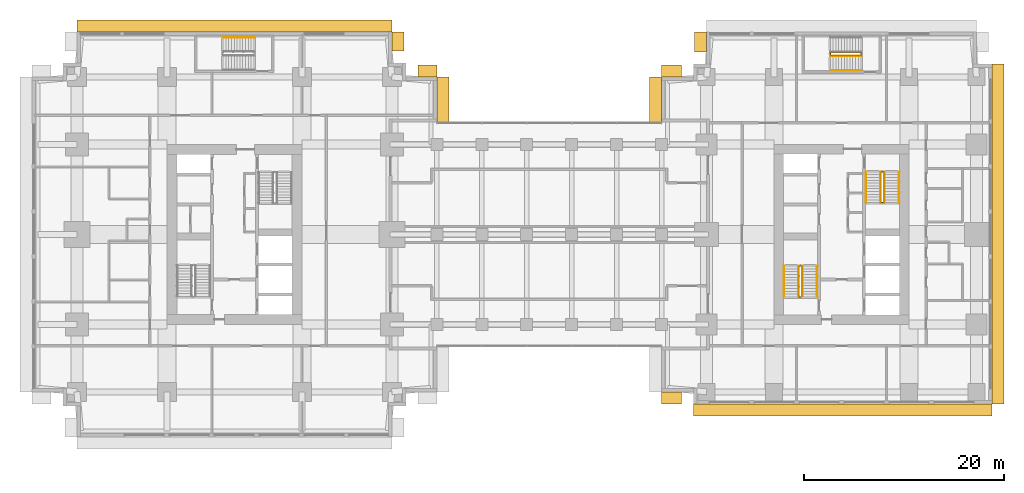
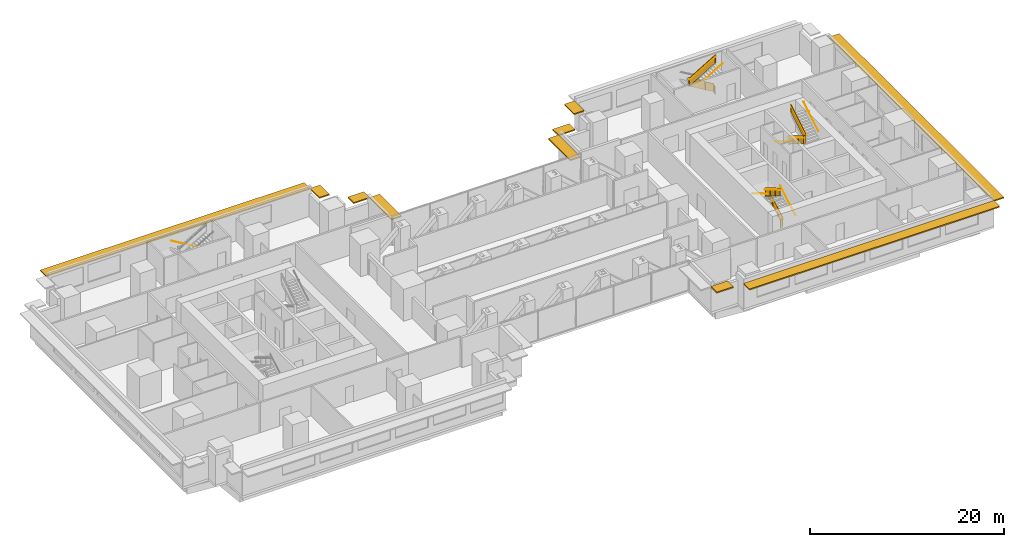
# One storey, part 15 of 16: 14 railings, 10 shading devices.
"""IFC4 building model written with IfcOpenShell, lengths in metres."""

from ifc_helpers import new_model, si_unit, direction, frame, origin, origin_2d, place, context, subcontext, project, spatial, polyline, rectangle, circle, outline, extrude, material, layer, layer_set, type_object, element, save


model = new_model("IFC4")

# Units and contexts
model_context = context("Model", 3, precision=1e-05, world=origin(), true_north=direction((0.0, 1.0)))
body_context = subcontext(model_context, "Body", "Model", "MODEL_VIEW")
ifc_project = project(units=[si_unit("LENGTHUNIT", "METRE"), si_unit("AREAUNIT", "SQUARE_METRE"), si_unit("VOLUMEUNIT", "CUBIC_METRE"), si_unit("PLANEANGLEUNIT", "RADIAN"), si_unit("MASSUNIT", "GRAM", prefix="KILO")], contexts=[model_context])

# Site, building, storey
site_placement = place(None, origin())
site = spatial("IfcSite", under=ifc_project, at=site_placement, CompositionType="ELEMENT")
building_placement = place(site_placement, origin())
building = spatial("IfcBuilding", under=site, at=building_placement, Name="Namib Vertical Campus", CompositionType="ELEMENT")
storey_placement = place(building_placement, frame((0.0, 0.0, 125.0)))
storey = spatial("IfcBuildingStorey", under=building, at=storey_placement, Name="L29", CompositionType="ELEMENT", Elevation=125.0)

# Railings
ifc_material_1 = material(Name="Steel handrail", Category="steel")
railing_type_1 = type_object("IfcRailingType", Name="Handrail 900", PredefinedType="HANDRAIL", material=ifc_material_1)
railing_1_placement = place(storey_placement, frame((78.550048828125, 14.0, 0.166748046875)))
element("IfcRailing", 1, at=railing_1_placement, inside=storey, type_object=railing_type_1, Name="Handrail HR1 B-S1 L29 1", PredefinedType="HANDRAIL", context=body_context, shape_type="SweptSolid", body=[
    extrude(circle(Radius=0.02392578125, at=origin_2d()), frame((0.0, 0.0, 0.8759765625), z_axis=(0.0, 0.859308565015, 0.511457515432), x_axis=(-1.0, 0.0, 0.0)), (0.0, 0.0, 1.0), 3.58447265625),
    extrude(circle(Radius=0.008056640625, at=origin_2d()), frame((0.0, 0.0, 0.8759765625), z_axis=(1.0, 0.0, 0.0), x_axis=(0.0, 0.0, 1.0)), (0.0, 0.0, 1.0), 0.050048828125),
    extrude(circle(Radius=0.008056640625, at=origin_2d()), frame((0.0, 1.026611328125, 1.48681640625), z_axis=(1.0, 0.0, 0.0), x_axis=(0.0, 0.0, 1.0)), (0.0, 0.0, 1.0), 0.050048828125),
    extrude(circle(Radius=0.008056640625, at=origin_2d()), frame((0.0, 2.053466796875, 2.09814453125), z_axis=(1.0, 0.0, 0.0), x_axis=(0.0, 0.0, 1.0)), (0.0, 0.0, 1.0), 0.050048828125),
    extrude(circle(Radius=0.008056640625, at=origin_2d()), frame((0.0, 3.080078125, 2.708984375), z_axis=(1.0, 0.0, 0.0), x_axis=(0.0, 0.0, 1.0)), (0.0, 0.0, 1.0), 0.050048828125),
])
railing_2_placement = place(storey_placement, frame((75.25, 17.080078125, 2.166748046875)))
element("IfcRailing", 2, at=railing_2_placement, inside=storey, type_object=railing_type_1, Name="Handrail HR1 B-S1 L29 2", PredefinedType="HANDRAIL", context=body_context, shape_type="SweptSolid", body=[
    extrude(circle(Radius=0.02392578125, at=origin_2d()), frame((0.0, 0.0, 0.8759765625), z_axis=(0.0, -0.859308565015, 0.511457515432), x_axis=(1.0, 0.0, 0.0)), (0.0, 0.0, 1.0), 3.58447265625),
    extrude(circle(Radius=0.008056640625, at=origin_2d()), frame((0.0, 0.0, 0.8759765625), z_axis=(-1.0, 0.0, 0.0), x_axis=(0.0, 0.0, 1.0)), (0.0, 0.0, 1.0), 0.050048828125),
    extrude(circle(Radius=0.008056640625, at=origin_2d()), frame((0.0, -1.026611328125, 1.48681640625), z_axis=(-1.0, 0.0, 0.0), x_axis=(0.0, 0.0, 1.0)), (0.0, 0.0, 1.0), 0.050048828125),
    extrude(circle(Radius=0.008056640625, at=origin_2d()), frame((0.0, -2.053466796875, 2.09814453125), z_axis=(-1.0, 0.0, 0.0), x_axis=(0.0, 0.0, 1.0)), (0.0, 0.0, 1.0), 0.050048828125),
    extrude(circle(Radius=0.008056640625, at=origin_2d()), frame((0.0, -3.080078125, 2.708984375), z_axis=(-1.0, 0.0, 0.0), x_axis=(0.0, 0.0, 1.0)), (0.0, 0.0, 1.0), 0.050048828125),
])
railing_3_placement = place(storey_placement, frame((77.10009765625, 14.0, 0.166748046875)))
element("IfcRailing", 3, at=railing_3_placement, inside=storey, type_object=railing_type_1, Name="Handrail HR1 B-S1 L29 1 at the well", PredefinedType="HANDRAIL", context=body_context, shape_type="SweptSolid", body=[
    extrude(circle(Radius=0.02392578125, at=origin_2d()), frame((0.0, 0.0, 0.8759765625), z_axis=(0.0, 0.859308565015, 0.511457515432), x_axis=(-1.0, 0.0, 0.0)), (0.0, 0.0, 1.0), 3.58447265625),
    extrude(circle(Radius=0.008056640625, at=origin_2d()), frame((0.0, 0.0, 0.8759765625), z_axis=(-1.0, 0.0, 0.0), x_axis=(0.0, 0.0, 1.0)), (0.0, 0.0, 1.0), 0.0400390625),
    extrude(circle(Radius=0.008056640625, at=origin_2d()), frame((0.0, 1.026611328125, 1.48681640625), z_axis=(-1.0, 0.0, 0.0), x_axis=(0.0, 0.0, 1.0)), (0.0, 0.0, 1.0), 0.0400390625),
    extrude(circle(Radius=0.008056640625, at=origin_2d()), frame((0.0, 2.053466796875, 2.09814453125), z_axis=(-1.0, 0.0, 0.0), x_axis=(0.0, 0.0, 1.0)), (0.0, 0.0, 1.0), 0.0400390625),
    extrude(circle(Radius=0.008056640625, at=origin_2d()), frame((0.0, 3.080078125, 2.708984375), z_axis=(-1.0, 0.0, 0.0), x_axis=(0.0, 0.0, 1.0)), (0.0, 0.0, 1.0), 0.0400390625),
])
railing_4_placement = place(storey_placement, frame((76.699951171875, 17.080078125, 2.166748046875)))
element("IfcRailing", 4, at=railing_4_placement, inside=storey, type_object=railing_type_1, Name="Handrail HR1 B-S1 L29 2 at the well", PredefinedType="HANDRAIL", context=body_context, shape_type="SweptSolid", body=[
    extrude(circle(Radius=0.02392578125, at=origin_2d()), frame((0.0, 0.0, 0.8759765625), z_axis=(0.0, -0.859308565015, 0.511457515432), x_axis=(1.0, 0.0, 0.0)), (0.0, 0.0, 1.0), 3.58447265625),
    extrude(circle(Radius=0.008056640625, at=origin_2d()), frame((0.0, 0.0, 0.8759765625), z_axis=(1.0, 0.0, 0.0), x_axis=(0.0, 0.0, 1.0)), (0.0, 0.0, 1.0), 0.0400390625),
    extrude(circle(Radius=0.008056640625, at=origin_2d()), frame((0.0, -1.026611328125, 1.48681640625), z_axis=(1.0, 0.0, 0.0), x_axis=(0.0, 0.0, 1.0)), (0.0, 0.0, 1.0), 0.0400390625),
    extrude(circle(Radius=0.008056640625, at=origin_2d()), frame((0.0, -2.053466796875, 2.09814453125), z_axis=(1.0, 0.0, 0.0), x_axis=(0.0, 0.0, 1.0)), (0.0, 0.0, 1.0), 0.0400390625),
    extrude(circle(Radius=0.008056640625, at=origin_2d()), frame((0.0, -3.080078125, 2.708984375), z_axis=(1.0, 0.0, 0.0), x_axis=(0.0, 0.0, 1.0)), (0.0, 0.0, 1.0), 0.0400390625),
])
railing_5_placement = place(storey_placement, frame((83.449951171875, 26.5, 0.166748046875)))
element("IfcRailing", 5, at=railing_5_placement, inside=storey, type_object=railing_type_1, Name="Handrail HR1 B-S2 L29 1", PredefinedType="HANDRAIL", context=body_context, shape_type="SweptSolid", body=[
    extrude(circle(Radius=0.02392578125, at=origin_2d()), frame((0.0, 0.0, 0.8759765625), z_axis=(0.0, -0.859308565015, 0.511457515432), x_axis=(1.0, 0.0, 0.0)), (0.0, 0.0, 1.0), 3.58447265625),
    extrude(circle(Radius=0.008056640625, at=origin_2d()), frame((0.0, 0.0, 0.8759765625), z_axis=(-1.0, 0.0, 0.0), x_axis=(0.0, 0.0, 1.0)), (0.0, 0.0, 1.0), 0.050048828125),
    extrude(circle(Radius=0.008056640625, at=origin_2d()), frame((0.0, -1.026611328125, 1.48681640625), z_axis=(-1.0, 0.0, 0.0), x_axis=(0.0, 0.0, 1.0)), (0.0, 0.0, 1.0), 0.050048828125),
    extrude(circle(Radius=0.008056640625, at=origin_2d()), frame((0.0, -2.053466796875, 2.09814453125), z_axis=(-1.0, 0.0, 0.0), x_axis=(0.0, 0.0, 1.0)), (0.0, 0.0, 1.0), 0.050048828125),
    extrude(circle(Radius=0.008056640625, at=origin_2d()), frame((0.0, -3.080078125, 2.708984375), z_axis=(-1.0, 0.0, 0.0), x_axis=(0.0, 0.0, 1.0)), (0.0, 0.0, 1.0), 0.050048828125),
])
railing_6_placement = place(storey_placement, frame((86.75, 23.419921875, 2.166748046875)))
element("IfcRailing", 6, at=railing_6_placement, inside=storey, type_object=railing_type_1, Name="Handrail HR1 B-S2 L29 2", PredefinedType="HANDRAIL", context=body_context, shape_type="SweptSolid", body=[
    extrude(circle(Radius=0.02392578125, at=origin_2d()), frame((0.0, 0.0, 0.8759765625), z_axis=(0.0, 0.859308565015, 0.511457515432), x_axis=(-1.0, 0.0, 0.0)), (0.0, 0.0, 1.0), 3.58447265625),
    extrude(circle(Radius=0.008056640625, at=origin_2d()), frame((0.0, 0.0, 0.8759765625), z_axis=(1.0, 0.0, 0.0), x_axis=(0.0, 0.0, 1.0)), (0.0, 0.0, 1.0), 0.050048828125),
    extrude(circle(Radius=0.008056640625, at=origin_2d()), frame((0.0, 1.026611328125, 1.48681640625), z_axis=(1.0, 0.0, 0.0), x_axis=(0.0, 0.0, 1.0)), (0.0, 0.0, 1.0), 0.050048828125),
    extrude(circle(Radius=0.008056640625, at=origin_2d()), frame((0.0, 2.053466796875, 2.09814453125), z_axis=(1.0, 0.0, 0.0), x_axis=(0.0, 0.0, 1.0)), (0.0, 0.0, 1.0), 0.050048828125),
    extrude(circle(Radius=0.008056640625, at=origin_2d()), frame((0.0, 3.080078125, 2.708984375), z_axis=(1.0, 0.0, 0.0), x_axis=(0.0, 0.0, 1.0)), (0.0, 0.0, 1.0), 0.050048828125),
])
railing_7_placement = place(storey_placement, frame((84.89990234375, 26.5, 0.166748046875)))
element("IfcRailing", 7, at=railing_7_placement, inside=storey, type_object=railing_type_1, Name="Handrail HR1 B-S2 L29 1 at the well", PredefinedType="HANDRAIL", context=body_context, shape_type="SweptSolid", body=[
    extrude(circle(Radius=0.02392578125, at=origin_2d()), frame((0.0, 0.0, 0.8759765625), z_axis=(0.0, -0.859308565015, 0.511457515432), x_axis=(1.0, 0.0, 0.0)), (0.0, 0.0, 1.0), 3.58447265625),
    extrude(circle(Radius=0.008056640625, at=origin_2d()), frame((0.0, 0.0, 0.8759765625), z_axis=(1.0, 0.0, 0.0), x_axis=(0.0, 0.0, 1.0)), (0.0, 0.0, 1.0), 0.0400390625),
    extrude(circle(Radius=0.008056640625, at=origin_2d()), frame((0.0, -1.026611328125, 1.48681640625), z_axis=(1.0, 0.0, 0.0), x_axis=(0.0, 0.0, 1.0)), (0.0, 0.0, 1.0), 0.0400390625),
    extrude(circle(Radius=0.008056640625, at=origin_2d()), frame((0.0, -2.053466796875, 2.09814453125), z_axis=(1.0, 0.0, 0.0), x_axis=(0.0, 0.0, 1.0)), (0.0, 0.0, 1.0), 0.0400390625),
    extrude(circle(Radius=0.008056640625, at=origin_2d()), frame((0.0, -3.080078125, 2.708984375), z_axis=(1.0, 0.0, 0.0), x_axis=(0.0, 0.0, 1.0)), (0.0, 0.0, 1.0), 0.0400390625),
])
railing_8_placement = place(storey_placement, frame((85.300048828125, 23.419921875, 2.166748046875)))
element("IfcRailing", 8, at=railing_8_placement, inside=storey, type_object=railing_type_1, Name="Handrail HR1 B-S2 L29 2 at the well", PredefinedType="HANDRAIL", context=body_context, shape_type="SweptSolid", body=[
    extrude(circle(Radius=0.02392578125, at=origin_2d()), frame((0.0, 0.0, 0.8759765625), z_axis=(0.0, 0.859308565015, 0.511457515432), x_axis=(-1.0, 0.0, 0.0)), (0.0, 0.0, 1.0), 3.58447265625),
    extrude(circle(Radius=0.008056640625, at=origin_2d()), frame((0.0, 0.0, 0.8759765625), z_axis=(-1.0, 0.0, 0.0), x_axis=(0.0, 0.0, 1.0)), (0.0, 0.0, 1.0), 0.0400390625),
    extrude(circle(Radius=0.008056640625, at=origin_2d()), frame((0.0, 1.026611328125, 1.48681640625), z_axis=(-1.0, 0.0, 0.0), x_axis=(0.0, 0.0, 1.0)), (0.0, 0.0, 1.0), 0.0400390625),
    extrude(circle(Radius=0.008056640625, at=origin_2d()), frame((0.0, 2.053466796875, 2.09814453125), z_axis=(-1.0, 0.0, 0.0), x_axis=(0.0, 0.0, 1.0)), (0.0, 0.0, 1.0), 0.0400390625),
    extrude(circle(Radius=0.008056640625, at=origin_2d()), frame((0.0, 3.080078125, 2.708984375), z_axis=(-1.0, 0.0, 0.0), x_axis=(0.0, 0.0, 1.0)), (0.0, 0.0, 1.0), 0.0400390625),
])
railing_9_placement = place(storey_placement, frame((22.199951171875, 39.949951171875, 0.166748046875)))
element("IfcRailing", 9, at=railing_9_placement, inside=storey, type_object=railing_type_1, Name="Handrail HR1 A-S3 L29 1", PredefinedType="HANDRAIL", context=body_context, shape_type="SweptSolid", body=[
    extrude(circle(Radius=0.02392578125, at=origin_2d()), frame((0.0, 0.0, 0.8759765625), z_axis=(-0.859290745958, 0.0, 0.51148745235), x_axis=(0.0, -1.0, 0.0)), (0.0, 0.0, 1.0), 3.584228515625),
    extrude(circle(Radius=0.008056640625, at=origin_2d()), frame((0.0, 0.0, 0.8759765625), z_axis=(0.0, 1.0, 0.0), x_axis=(0.0, 0.0, 1.0)), (0.0, 0.0, 1.0), 0.050048828125),
    extrude(circle(Radius=0.008056640625, at=origin_2d()), frame((-1.026611328125, 0.0, 1.48681640625), z_axis=(0.0, 1.0, 0.0), x_axis=(0.0, 0.0, 1.0)), (0.0, 0.0, 1.0), 0.050048828125),
    extrude(circle(Radius=0.008056640625, at=origin_2d()), frame((-2.05322265625, 0.0, 2.09814453125), z_axis=(0.0, 1.0, 0.0), x_axis=(0.0, 0.0, 1.0)), (0.0, 0.0, 1.0), 0.050048828125),
    extrude(circle(Radius=0.008056640625, at=origin_2d()), frame((-3.079833984375, 0.0, 2.708984375), z_axis=(0.0, 1.0, 0.0), x_axis=(0.0, 0.0, 1.0)), (0.0, 0.0, 1.0), 0.050048828125),
])
railing_10_placement = place(storey_placement, frame((79.8701171875, 36.64990234375, 2.166748046875)))
element("IfcRailing", 10, at=railing_10_placement, inside=storey, type_object=railing_type_1, Name="Handrail HR1 B-S3 L29 2", PredefinedType="HANDRAIL", context=body_context, shape_type="SweptSolid", body=[
    extrude(circle(Radius=0.02392578125, at=origin_2d()), frame((0.0, 0.0, 0.8759765625), z_axis=(0.859290745958, 0.0, 0.51148745235), x_axis=(0.0, 1.0, 0.0)), (0.0, 0.0, 1.0), 3.584228515625),
    extrude(circle(Radius=0.008056640625, at=origin_2d()), frame((0.0, 0.0, 0.8759765625), z_axis=(0.0, -1.0, 0.0), x_axis=(0.0, 0.0, 1.0)), (0.0, 0.0, 1.0), 0.050048828125),
    extrude(circle(Radius=0.008056640625, at=origin_2d()), frame((1.026611328125, 0.0, 1.48681640625), z_axis=(0.0, -1.0, 0.0), x_axis=(0.0, 0.0, 1.0)), (0.0, 0.0, 1.0), 0.050048828125),
    extrude(circle(Radius=0.008056640625, at=origin_2d()), frame((2.05322265625, 0.0, 2.09814453125), z_axis=(0.0, -1.0, 0.0), x_axis=(0.0, 0.0, 1.0)), (0.0, 0.0, 1.0), 0.050048828125),
    extrude(circle(Radius=0.008056640625, at=origin_2d()), frame((3.079833984375, 0.0, 2.708984375), z_axis=(0.0, -1.0, 0.0), x_axis=(0.0, 0.0, 1.0)), (0.0, 0.0, 1.0), 0.050048828125),
])
railing_11_placement = place(storey_placement, frame((79.8701171875, 38.10009765625, 2.166748046875)))
element("IfcRailing", 11, at=railing_11_placement, inside=storey, type_object=railing_type_1, Name="Handrail HR1 B-S3 L29 2 at the well", PredefinedType="HANDRAIL", context=body_context, shape_type="SweptSolid", body=[
    extrude(circle(Radius=0.02392578125, at=origin_2d()), frame((0.0, 0.0, 0.8759765625), z_axis=(0.859290745958, 0.0, 0.51148745235), x_axis=(0.0, 1.0, 0.0)), (0.0, 0.0, 1.0), 3.584228515625),
    extrude(circle(Radius=0.008056640625, at=origin_2d()), frame((0.0, 0.0, 0.8759765625), z_axis=(0.0, 1.0, 0.0), x_axis=(0.0, 0.0, 1.0)), (0.0, 0.0, 1.0), 0.0400390625),
    extrude(circle(Radius=0.008056640625, at=origin_2d()), frame((1.026611328125, 0.0, 1.48681640625), z_axis=(0.0, 1.0, 0.0), x_axis=(0.0, 0.0, 1.0)), (0.0, 0.0, 1.0), 0.0400390625),
    extrude(circle(Radius=0.008056640625, at=origin_2d()), frame((2.05322265625, 0.0, 2.09814453125), z_axis=(0.0, 1.0, 0.0), x_axis=(0.0, 0.0, 1.0)), (0.0, 0.0, 1.0), 0.0400390625),
    extrude(circle(Radius=0.008056640625, at=origin_2d()), frame((3.079833984375, 0.0, 2.708984375), z_axis=(0.0, 1.0, 0.0), x_axis=(0.0, 0.0, 1.0)), (0.0, 0.0, 1.0), 0.0400390625),
])
ifc_material_2 = material(Name="Steel balustrade", Category="steel")
railing_type_2 = type_object("IfcRailingType", Name="Stair guard 1100", PredefinedType="GUARDRAIL", material=ifc_material_2)
railing_12_placement = place(storey_placement, frame((76.75, 14.0, 0.0)))
element("IfcRailing", 12, at=railing_12_placement, inside=storey, type_object=railing_type_2, Name="Stair guard GR1 B-S1 L29", PredefinedType="GUARDRAIL", context=body_context, shape_type="SweptSolid", body=[
    extrude(circle(Radius=0.02392578125, at=origin_2d()), frame((0.0, 0.0, 1.076171875), z_axis=(1.0, 0.0, 0.0), x_axis=(0.0, 1.0, 0.0)), (0.0, 0.0, 1.0), 0.300048828125),
    extrude(outline(polyline([(0.02099609375, 0.050048828125), (0.279052734375, 0.050048828125), (0.279052734375, 1.052001953125), (0.02099609375, 1.052001953125), (0.02099609375, 0.050048828125)])), frame((0.0, 0.010009765625, 0.0), z_axis=(0.0, -1.0, 0.0), x_axis=(1.0, 0.0, 0.0)), (0.0, 0.0, 1.0), 0.02001953125),
    extrude(circle(Radius=0.02392578125, at=origin_2d()), frame((0.300048828125, 0.0, 1.076171875), z_axis=(0.0, 0.0, 1.0), x_axis=(1.0, 0.0, 0.0)), (0.0, 0.0, 1.0), 0.166748046875),
    extrude(circle(Radius=0.02392578125, at=origin_2d()), frame((0.300048828125, 0.0, 1.24267578125), z_axis=(0.0, 0.859308565015, 0.511457515432), x_axis=(-1.0, 0.0, 0.0)), (0.0, 0.0, 1.0), 3.58447265625),
    extrude(outline(polyline([(0.02099609375, 0.0625), (3.05908203125, 1.870849609375), (3.05908203125, 2.872802734375), (0.02099609375, 1.064453125), (0.02099609375, 0.0625)])), frame((0.2900390625, 0.0, 0.166748046875), z_axis=(1.0, 0.0, 0.0), x_axis=(0.0, 1.0, 0.0)), (0.0, 0.0, 1.0), 0.02001953125),
    extrude(circle(Radius=0.02392578125, at=origin_2d()), frame((0.300048828125, 3.080078125, 3.076171875), z_axis=(-1.0, 0.0, 0.0), x_axis=(0.0, -1.0, 0.0)), (0.0, 0.0, 1.0), 0.300048828125),
    extrude(outline(polyline([(0.02099609375, 0.050048828125), (0.279052734375, 0.050048828125), (0.279052734375, 1.052001953125), (0.02099609375, 1.052001953125), (0.02099609375, 0.050048828125)])), frame((0.300048828125, 3.070068359375, 2.0), z_axis=(0.0, 1.0, 0.0), x_axis=(-1.0, 0.0, 0.0)), (0.0, 0.0, 1.0), 0.02001953125),
    extrude(circle(Radius=0.02392578125, at=origin_2d()), frame((0.0, 3.080078125, 3.076171875), z_axis=(0.0, 0.0, 1.0), x_axis=(1.0, 0.0, 0.0)), (0.0, 0.0, 1.0), 0.166748046875),
    extrude(circle(Radius=0.02392578125, at=origin_2d()), frame((0.0, 3.080078125, 3.24267578125), z_axis=(0.0, -0.859308565015, 0.511457515432), x_axis=(1.0, 0.0, 0.0)), (0.0, 0.0, 1.0), 3.58447265625),
    extrude(outline(polyline([(0.02099609375, 0.0625), (3.05908203125, 1.870849609375), (3.05908203125, 2.872802734375), (0.02099609375, 1.064453125), (0.02099609375, 0.0625)])), frame((0.010009765625, 3.080078125, 2.166748046875), z_axis=(-1.0, 0.0, 0.0), x_axis=(0.0, -1.0, 0.0)), (0.0, 0.0, 1.0), 0.02001953125),
    extrude(circle(Radius=0.02392578125, at=origin_2d()), frame((0.0, 0.0, 5.076171875), z_axis=(0.0, -1.0, 0.0), x_axis=(1.0, 0.0, 0.0)), (0.0, 0.0, 1.0), 0.050048828125),
    extrude(outline(polyline([(0.02099609375, 0.050048828125), (0.029052734375, 0.050048828125), (0.029052734375, 1.052001953125), (0.02099609375, 1.052001953125), (0.02099609375, 0.050048828125)])), frame((0.010009765625, 0.0, 4.0), z_axis=(-1.0, 0.0, 0.0), x_axis=(0.0, -1.0, 0.0)), (0.0, 0.0, 1.0), 0.02001953125),
    extrude(circle(Radius=0.02099609375, at=origin_2d()), origin(), (0.0, 0.0, 1.0), 1.052001953125),
    extrude(circle(Radius=0.02099609375, at=origin_2d()), frame((0.300048828125, 0.0, 0.166748046875)), (0.0, 0.0, 1.0), 1.052001953125),
    extrude(circle(Radius=0.02099609375, at=origin_2d()), frame((0.300048828125, 1.026611328125, 0.666748046875)), (0.0, 0.0, 1.0), 1.1630859375),
    extrude(circle(Radius=0.02099609375, at=origin_2d()), frame((0.300048828125, 2.053466796875, 1.33349609375)), (0.0, 0.0, 1.0), 1.107421875),
    extrude(circle(Radius=0.02099609375, at=origin_2d()), frame((0.300048828125, 3.080078125, 2.0)), (0.0, 0.0, 1.0), 1.052001953125),
    extrude(circle(Radius=0.02099609375, at=origin_2d()), frame((0.0, 3.080078125, 2.166748046875)), (0.0, 0.0, 1.0), 1.052001953125),
    extrude(circle(Radius=0.02099609375, at=origin_2d()), frame((0.0, 2.053466796875, 2.666748046875)), (0.0, 0.0, 1.0), 1.1630859375),
    extrude(circle(Radius=0.02099609375, at=origin_2d()), frame((0.0, 1.026611328125, 3.33349609375)), (0.0, 0.0, 1.0), 1.107421875),
    extrude(circle(Radius=0.02099609375, at=origin_2d()), frame((0.0, 0.0, 4.0)), (0.0, 0.0, 1.0), 1.052001953125),
    extrude(circle(Radius=0.02099609375, at=origin_2d()), frame((0.0, -0.050048828125, 4.0)), (0.0, 0.0, 1.0), 1.052001953125),
])
railing_13_placement = place(storey_placement, frame((85.25, 26.5, 0.0)))
element("IfcRailing", 13, at=railing_13_placement, inside=storey, type_object=railing_type_2, Name="Stair guard GR1 B-S2 L29", PredefinedType="GUARDRAIL", context=body_context, shape_type="SweptSolid", body=[
    extrude(circle(Radius=0.02392578125, at=origin_2d()), frame((0.0, 0.0, 1.076171875), z_axis=(-1.0, 0.0, 0.0), x_axis=(0.0, -1.0, 0.0)), (0.0, 0.0, 1.0), 0.300048828125),
    extrude(outline(polyline([(0.02099609375, 0.050048828125), (0.279052734375, 0.050048828125), (0.279052734375, 1.052001953125), (0.02099609375, 1.052001953125), (0.02099609375, 0.050048828125)])), frame((0.0, -0.010009765625, 0.0), z_axis=(0.0, 1.0, 0.0), x_axis=(-1.0, 0.0, 0.0)), (0.0, 0.0, 1.0), 0.02001953125),
    extrude(circle(Radius=0.02392578125, at=origin_2d()), frame((-0.300048828125, 0.0, 1.076171875), z_axis=(0.0, 0.0, 1.0), x_axis=(1.0, 0.0, 0.0)), (0.0, 0.0, 1.0), 0.166748046875),
    extrude(circle(Radius=0.02392578125, at=origin_2d()), frame((-0.300048828125, 0.0, 1.24267578125), z_axis=(0.0, -0.859308565015, 0.511457515432), x_axis=(1.0, 0.0, 0.0)), (0.0, 0.0, 1.0), 3.58447265625),
    extrude(outline(polyline([(0.02099609375, 0.0625), (3.05908203125, 1.870849609375), (3.05908203125, 2.872802734375), (0.02099609375, 1.064453125), (0.02099609375, 0.0625)])), frame((-0.2900390625, 0.0, 0.166748046875), z_axis=(-1.0, 0.0, 0.0), x_axis=(0.0, -1.0, 0.0)), (0.0, 0.0, 1.0), 0.02001953125),
    extrude(circle(Radius=0.02392578125, at=origin_2d()), frame((-0.300048828125, -3.080078125, 3.076171875), z_axis=(1.0, 0.0, 0.0), x_axis=(0.0, 1.0, 0.0)), (0.0, 0.0, 1.0), 0.300048828125),
    extrude(outline(polyline([(0.02099609375, 0.050048828125), (0.279052734375, 0.050048828125), (0.279052734375, 1.052001953125), (0.02099609375, 1.052001953125), (0.02099609375, 0.050048828125)])), frame((-0.300048828125, -3.070068359375, 2.0), z_axis=(0.0, -1.0, 0.0), x_axis=(1.0, 0.0, 0.0)), (0.0, 0.0, 1.0), 0.02001953125),
    extrude(circle(Radius=0.02392578125, at=origin_2d()), frame((0.0, -3.080078125, 3.076171875), z_axis=(0.0, 0.0, 1.0), x_axis=(1.0, 0.0, 0.0)), (0.0, 0.0, 1.0), 0.166748046875),
    extrude(circle(Radius=0.02392578125, at=origin_2d()), frame((0.0, -3.080078125, 3.24267578125), z_axis=(0.0, 0.859308565015, 0.511457515432), x_axis=(-1.0, 0.0, 0.0)), (0.0, 0.0, 1.0), 3.58447265625),
    extrude(outline(polyline([(0.02099609375, 0.0625), (3.05908203125, 1.870849609375), (3.05908203125, 2.872802734375), (0.02099609375, 1.064453125), (0.02099609375, 0.0625)])), frame((-0.010009765625, -3.080078125, 2.166748046875), z_axis=(1.0, 0.0, 0.0), x_axis=(0.0, 1.0, 0.0)), (0.0, 0.0, 1.0), 0.02001953125),
    extrude(circle(Radius=0.02392578125, at=origin_2d()), frame((0.0, 0.0, 5.076171875), z_axis=(0.0, 1.0, 0.0), x_axis=(-1.0, 0.0, 0.0)), (0.0, 0.0, 1.0), 0.050048828125),
    extrude(outline(polyline([(0.02099609375, 0.050048828125), (0.029052734375, 0.050048828125), (0.029052734375, 1.052001953125), (0.02099609375, 1.052001953125), (0.02099609375, 0.050048828125)])), frame((-0.010009765625, 0.0, 4.0), z_axis=(1.0, 0.0, 0.0), x_axis=(0.0, 1.0, 0.0)), (0.0, 0.0, 1.0), 0.02001953125),
    extrude(circle(Radius=0.02099609375, at=origin_2d()), origin(), (0.0, 0.0, 1.0), 1.052001953125),
    extrude(circle(Radius=0.02099609375, at=origin_2d()), frame((-0.300048828125, 0.0, 0.166748046875)), (0.0, 0.0, 1.0), 1.052001953125),
    extrude(circle(Radius=0.02099609375, at=origin_2d()), frame((-0.300048828125, -1.026611328125, 0.666748046875)), (0.0, 0.0, 1.0), 1.1630859375),
    extrude(circle(Radius=0.02099609375, at=origin_2d()), frame((-0.300048828125, -2.053466796875, 1.33349609375)), (0.0, 0.0, 1.0), 1.107421875),
    extrude(circle(Radius=0.02099609375, at=origin_2d()), frame((-0.300048828125, -3.080078125, 2.0)), (0.0, 0.0, 1.0), 1.052001953125),
    extrude(circle(Radius=0.02099609375, at=origin_2d()), frame((0.0, -3.080078125, 2.166748046875)), (0.0, 0.0, 1.0), 1.052001953125),
    extrude(circle(Radius=0.02099609375, at=origin_2d()), frame((0.0, -2.053466796875, 2.666748046875)), (0.0, 0.0, 1.0), 1.1630859375),
    extrude(circle(Radius=0.02099609375, at=origin_2d()), frame((0.0, -1.026611328125, 3.33349609375)), (0.0, 0.0, 1.0), 1.107421875),
    extrude(circle(Radius=0.02099609375, at=origin_2d()), frame((0.0, 0.0, 4.0)), (0.0, 0.0, 1.0), 1.052001953125),
    extrude(circle(Radius=0.02099609375, at=origin_2d()), frame((0.0, 0.050048828125, 4.0)), (0.0, 0.0, 1.0), 1.052001953125),
])
railing_14_placement = place(storey_placement, frame((82.949951171875, 38.14990234375, 0.0)))
element("IfcRailing", 14, at=railing_14_placement, inside=storey, type_object=railing_type_2, Name="Stair guard GR1 B-S3 L29", PredefinedType="GUARDRAIL", context=body_context, shape_type="SweptSolid", body=[
    extrude(circle(Radius=0.02392578125, at=origin_2d()), frame((0.0, 0.0, 1.076171875), z_axis=(0.0, 1.0, 0.0), x_axis=(-1.0, 0.0, 0.0)), (0.0, 0.0, 1.0), 0.300048828125),
    extrude(outline(polyline([(0.02099609375, 0.050048828125), (0.279052734375, 0.050048828125), (0.279052734375, 1.052001953125), (0.02099609375, 1.052001953125), (0.02099609375, 0.050048828125)])), frame((-0.010009765625, 0.0, 0.0), z_axis=(1.0, 0.0, 0.0), x_axis=(0.0, 1.0, 0.0)), (0.0, 0.0, 1.0), 0.02001953125),
    extrude(circle(Radius=0.02392578125, at=origin_2d()), frame((0.0, 0.300048828125, 1.076171875), z_axis=(0.0, 0.0, 1.0), x_axis=(1.0, 0.0, 0.0)), (0.0, 0.0, 1.0), 0.166748046875),
    extrude(circle(Radius=0.02392578125, at=origin_2d()), frame((0.0, 0.300048828125, 1.24267578125), z_axis=(-0.859290745958, 0.0, 0.51148745235), x_axis=(0.0, -1.0, 0.0)), (0.0, 0.0, 1.0), 3.584228515625),
    extrude(outline(polyline([(0.02099609375, 0.0625), (3.058837890625, 1.870849609375), (3.058837890625, 2.872802734375), (0.02099609375, 1.064453125), (0.02099609375, 0.0625)])), frame((0.0, 0.2900390625, 0.166748046875), z_axis=(0.0, 1.0, 0.0), x_axis=(-1.0, 0.0, 0.0)), (0.0, 0.0, 1.0), 0.02001953125),
    extrude(circle(Radius=0.02392578125, at=origin_2d()), frame((-3.079833984375, 0.300048828125, 3.076171875), z_axis=(0.0, -1.0, 0.0), x_axis=(1.0, 0.0, 0.0)), (0.0, 0.0, 1.0), 0.300048828125),
    extrude(outline(polyline([(0.02099609375, 0.050048828125), (0.279052734375, 0.050048828125), (0.279052734375, 1.052001953125), (0.02099609375, 1.052001953125), (0.02099609375, 0.050048828125)])), frame((-3.06982421875, 0.300048828125, 2.0), z_axis=(-1.0, 0.0, 0.0), x_axis=(0.0, -1.0, 0.0)), (0.0, 0.0, 1.0), 0.02001953125),
    extrude(circle(Radius=0.02392578125, at=origin_2d()), frame((-3.079833984375, 0.0, 3.076171875), z_axis=(0.0, 0.0, 1.0), x_axis=(1.0, 0.0, 0.0)), (0.0, 0.0, 1.0), 0.166748046875),
    extrude(circle(Radius=0.02392578125, at=origin_2d()), frame((-3.079833984375, 0.0, 3.24267578125), z_axis=(0.859290745958, 0.0, 0.51148745235), x_axis=(0.0, 1.0, 0.0)), (0.0, 0.0, 1.0), 3.584228515625),
    extrude(outline(polyline([(0.02099609375, 0.0625), (3.058837890625, 1.870849609375), (3.058837890625, 2.872802734375), (0.02099609375, 1.064453125), (0.02099609375, 0.0625)])), frame((-3.079833984375, 0.010009765625, 2.166748046875), z_axis=(0.0, -1.0, 0.0), x_axis=(1.0, 0.0, 0.0)), (0.0, 0.0, 1.0), 0.02001953125),
    extrude(circle(Radius=0.02392578125, at=origin_2d()), frame((0.0, 0.0, 5.076171875), z_axis=(1.0, 0.0, 0.0), x_axis=(0.0, 1.0, 0.0)), (0.0, 0.0, 1.0), 0.050048828125),
    extrude(outline(polyline([(0.02099609375, 0.050048828125), (0.029052734375, 0.050048828125), (0.029052734375, 1.052001953125), (0.02099609375, 1.052001953125), (0.02099609375, 0.050048828125)])), frame((0.0, 0.010009765625, 4.0), z_axis=(0.0, -1.0, 0.0), x_axis=(1.0, 0.0, 0.0)), (0.0, 0.0, 1.0), 0.02001953125),
    extrude(circle(Radius=0.02099609375, at=origin_2d()), origin(), (0.0, 0.0, 1.0), 1.052001953125),
    extrude(circle(Radius=0.02099609375, at=origin_2d()), frame((0.0, 0.300048828125, 0.166748046875)), (0.0, 0.0, 1.0), 1.052001953125),
    extrude(circle(Radius=0.02099609375, at=origin_2d()), frame((-1.026611328125, 0.300048828125, 0.666748046875)), (0.0, 0.0, 1.0), 1.1630859375),
    extrude(circle(Radius=0.02099609375, at=origin_2d()), frame((-2.05322265625, 0.300048828125, 1.33349609375)), (0.0, 0.0, 1.0), 1.107421875),
    extrude(circle(Radius=0.02099609375, at=origin_2d()), frame((-3.079833984375, 0.300048828125, 2.0)), (0.0, 0.0, 1.0), 1.052001953125),
    extrude(circle(Radius=0.02099609375, at=origin_2d()), frame((-3.079833984375, 0.0, 2.166748046875)), (0.0, 0.0, 1.0), 1.052001953125),
    extrude(circle(Radius=0.02099609375, at=origin_2d()), frame((-2.05322265625, 0.0, 2.666748046875)), (0.0, 0.0, 1.0), 1.1630859375),
    extrude(circle(Radius=0.02099609375, at=origin_2d()), frame((-1.026611328125, 0.0, 3.33349609375)), (0.0, 0.0, 1.0), 1.107421875),
    extrude(circle(Radius=0.02099609375, at=origin_2d()), frame((0.0, 0.0, 4.0)), (0.0, 0.0, 1.0), 1.052001953125),
    extrude(circle(Radius=0.02099609375, at=origin_2d()), frame((0.050048828125, 0.0, 4.0)), (0.0, 0.0, 1.0), 1.052001953125),
])

# Shading devices
ifc_material_3 = material(Name="Concrete C40/50 precast", Category="concrete")
ifc_layer = layer(ifc_material_3, 0.14990234375)
ifc_layer_set = layer_set([ifc_layer], Name="Concrete C40/50 precast")
shading_device_type = type_object("IfcShadingDeviceType", Name="Sunshade hood 1200", PredefinedType="SHUTTER", material=ifc_layer_set)
shading_device_1_placement = place(storey_placement, frame((41.10009765625, 33.75, 3.10009765625), z_axis=(0.0, 0.0, 1.0), x_axis=(0.0, 1.0, 0.0)))
element("IfcShadingDevice", 15, at=shading_device_1_placement, inside=storey, type_object=shading_device_type, Name="Sunshade SH2 L29 11", PredefinedType="SHUTTER", context=body_context, shape_type="SweptSolid", body=[
    extrude(rectangle(XDim=4.5, YDim=1.199951171875, at=origin_2d()), origin(), (0.0, 0.0, 1.0), 0.14990234375),
])
for number, where, z_axis, x_axis, name in (
    (16, (39.550048828125, 36.60009765625, 3.10009765625), (0.0, 0.0, 1.0), (-1.0, 0.0, 0.0), "Sunshade SH2 L29 12"),
    (17, (36.60009765625, 39.550048828125, 3.10009765625), (0.0, 0.0, 1.0), (0.0, 1.0, 0.0), "Sunshade SH2 L29 15"),
):
    element("IfcShadingDevice", number, at=place(storey_placement, frame(where, z_axis=z_axis, x_axis=x_axis)), inside=storey, type_object=shading_device_type, Name=name, PredefinedType="SHUTTER", context=body_context, shape_type="SweptSolid", body=[
        extrude(rectangle(XDim=1.89990234375, YDim=1.199951171875, at=origin_2d()), origin(), (0.0, 0.0, 1.0), 0.14990234375),
    ])
shading_device_2_placement = place(storey_placement, frame((20.25, 41.10009765625, 3.10009765625), z_axis=(0.0, 0.0, 1.0), x_axis=(-1.0, 0.0, 0.0)))
element("IfcShadingDevice", 18, at=shading_device_2_placement, inside=storey, type_object=shading_device_type, Name="Sunshade SH2 L29 16", PredefinedType="SHUTTER", context=body_context, shape_type="SweptSolid", body=[
    extrude(rectangle(XDim=31.5, YDim=1.199951171875, at=origin_2d()), origin(), (0.0, 0.0, 1.0), 0.14990234375),
])
shading_device_3_placement = place(storey_placement, frame((64.0, 3.89990234375, 3.10009765625), z_axis=(0.0, 0.0, 1.0), x_axis=(1.0, 0.0, 0.0)))
element("IfcShadingDevice", 19, at=shading_device_3_placement, inside=storey, type_object=shading_device_type, Name="Sunshade SH2 L29 2", PredefinedType="SHUTTER", context=body_context, shape_type="SweptSolid", body=[
    extrude(rectangle(XDim=2.0, YDim=1.199951171875, at=origin_2d()), origin(), (0.0, 0.0, 1.0), 0.14990234375),
])
shading_device_4_placement = place(storey_placement, frame((81.125, 2.699951171875, 3.10009765625), z_axis=(0.0, 0.0, 1.0), x_axis=(1.0, 0.0, 0.0)))
element("IfcShadingDevice", 20, at=shading_device_4_placement, inside=storey, type_object=shading_device_type, Name="Sunshade SH2 L29 4", PredefinedType="SHUTTER", context=body_context, shape_type="SweptSolid", body=[
    extrude(rectangle(XDim=29.85009765625, YDim=1.199951171875, at=origin_2d()), origin(), (0.0, 0.0, 1.0), 0.14990234375),
])
shading_device_5_placement = place(storey_placement, frame((96.64990234375, 20.300048828125, 3.10009765625), z_axis=(0.0, 0.0, 1.0), x_axis=(0.0, 1.0, 0.0)))
element("IfcShadingDevice", 21, at=shading_device_5_placement, inside=storey, type_object=shading_device_type, Name="Sunshade SH2 L29 5", PredefinedType="SHUTTER", context=body_context, shape_type="SweptSolid", body=[
    extrude(rectangle(XDim=34.0, YDim=1.199951171875, at=origin_2d()), origin(), (0.0, 0.0, 1.0), 0.14990234375),
])
for number, where, z_axis, x_axis, name in (
    (22, (66.89990234375, 39.5, 3.10009765625), (0.0, 0.0, 1.0), (0.0, -1.0, 0.0), "Sunshade SH2 L29 9"),
    (23, (64.0, 36.60009765625, 3.10009765625), (0.0, 0.0, 1.0), (-1.0, 0.0, 0.0), "Sunshade SH2 L29 12"),
):
    element("IfcShadingDevice", number, at=place(storey_placement, frame(where, z_axis=z_axis, x_axis=x_axis)), inside=storey, type_object=shading_device_type, Name=name, PredefinedType="SHUTTER", context=body_context, shape_type="SweptSolid", body=[
        extrude(rectangle(XDim=2.0, YDim=1.199951171875, at=origin_2d()), origin(), (0.0, 0.0, 1.0), 0.14990234375),
    ])
shading_device_6_placement = place(storey_placement, frame((62.39990234375, 33.75, 3.10009765625), z_axis=(0.0, 0.0, 1.0), x_axis=(0.0, -1.0, 0.0)))
element("IfcShadingDevice", 24, at=shading_device_6_placement, inside=storey, type_object=shading_device_type, Name="Sunshade SH2 L29 13", PredefinedType="SHUTTER", context=body_context, shape_type="SweptSolid", body=[
    extrude(rectangle(XDim=4.5, YDim=1.199951171875, at=origin_2d()), origin(), (0.0, 0.0, 1.0), 0.14990234375),
])

save(model, "model.ifc")
